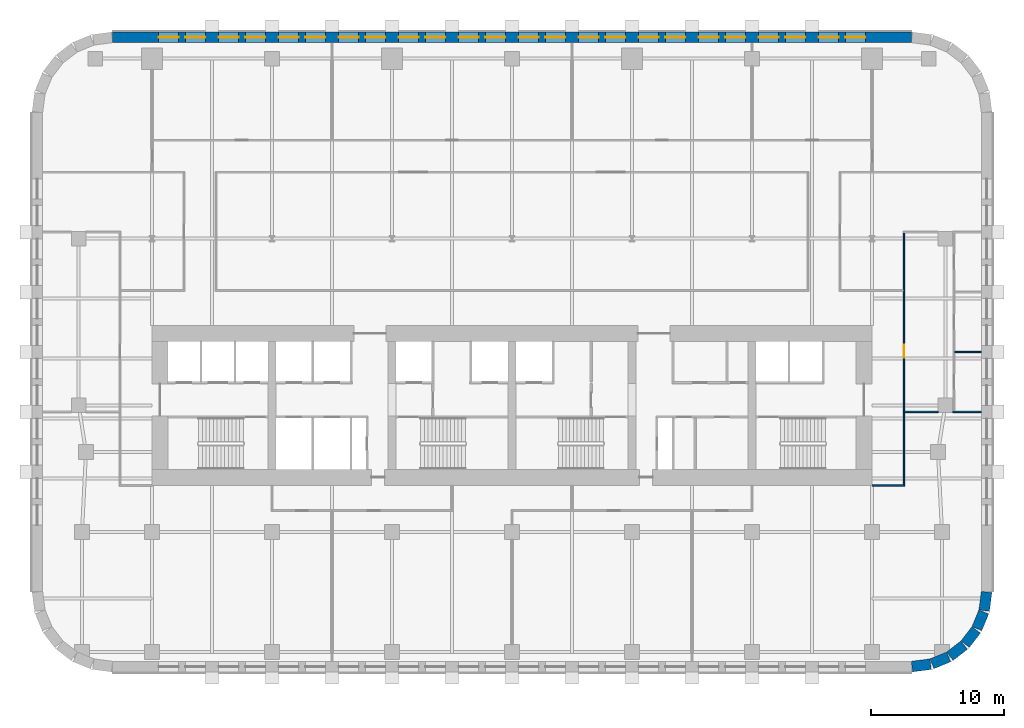
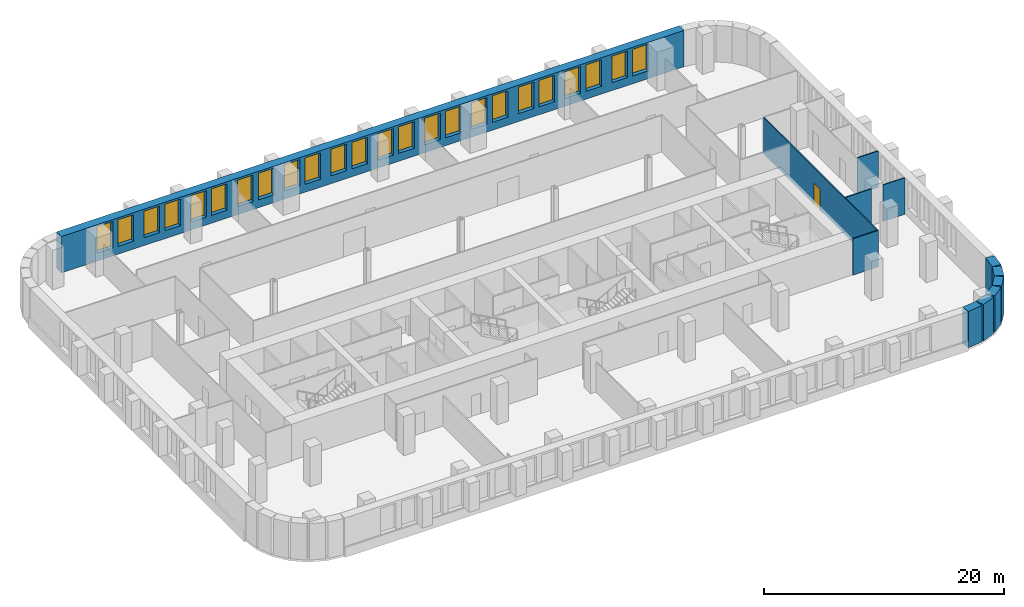
# One storey, part 8 of 12: 24 windows, 12 walls, 1 door, 25 openings.
"""IFC4 building model written with IfcOpenShell, lengths in metres."""

from ifc_helpers import new_model, si_unit, direction, frame, frame_2d, origin, place, context, subcontext, project, spatial, rectangle, extrude, material, layer, layer_set, type_object, element, fill, save


model = new_model("IFC4")

# Units and contexts
model_context = context("Model", 3, precision=1e-05, world=origin(), true_north=direction((0.0, 1.0)))
body_context = subcontext(model_context, "Body", "Model", "MODEL_VIEW")
ifc_project = project(units=[si_unit("LENGTHUNIT", "METRE"), si_unit("AREAUNIT", "SQUARE_METRE"), si_unit("VOLUMEUNIT", "CUBIC_METRE"), si_unit("PLANEANGLEUNIT", "RADIAN"), si_unit("MASSUNIT", "GRAM", prefix="KILO")], contexts=[model_context])

# Site, building, storey
site_placement = place(None, origin())
site = spatial("IfcSite", under=ifc_project, at=site_placement, CompositionType="ELEMENT")
building_placement = place(site_placement, origin())
building = spatial("IfcBuilding", under=site, at=building_placement, Name="Zellij Exchange Tower", CompositionType="ELEMENT")
storey_placement = place(building_placement, frame((0.0, 0.0, 96.5)))
storey = spatial("IfcBuildingStorey", under=building, at=storey_placement, Name="L20", CompositionType="ELEMENT", Elevation=96.5)

# Walls
ifc_material_1 = material(Name="Precast concrete C40/50", Category="concrete")
ifc_layer_1 = layer(ifc_material_1, 0.800048828125)
ifc_layer_set_1 = layer_set([ifc_layer_1], Name="Precast concrete C40/50")
wall_type_1 = type_object("IfcWallType", Name="ENV-EW1 Precast stone-piered wall 800", PredefinedType="SOLIDWALL", material=ifc_layer_set_1)
wall_1_placement = place(storey_placement, frame((29.999755859375, -27.5966796875, 0.0), z_axis=(0.0, 0.0, 1.0), x_axis=(0.99144603414, 0.130517283865, 0.0)))
element("IfcWall", 1, at=wall_1_placement, inside=storey, type_object=wall_type_1, Name="fac.L20.01", PredefinedType="SOLIDWALL", context=body_context, shape_type="SweptSolid", body=[
    extrude(rectangle(XDim=1.408447265625, YDim=0.800048828125, at=frame_2d((0.7041015625, 0.0))), origin(), (0.0, 0.0, 1.0), 3.699951171875),
])
wall_2_placement = place(storey_placement, frame((31.497314453125, -27.3857421875, 0.0), z_axis=(0.0, 0.0, 1.0), x_axis=(0.923847774587, 0.38276009378, 0.0)))
element("IfcWall", 2, at=wall_2_placement, inside=storey, type_object=wall_type_1, Name="fac.L20.02", PredefinedType="SOLIDWALL", context=body_context, shape_type="SweptSolid", body=[
    extrude(rectangle(XDim=1.35546875, YDim=0.800048828125, at=frame_2d((0.677734375, 0.0))), origin(), (0.0, 0.0, 1.0), 3.699951171875),
])
for number, where, z_axis, x_axis, name in (
    (3, (32.840087890625, -26.814697265625, 0.0), (0.0, 0.0, 1.0), (0.793272915452, 0.608866226366, 0.0), "fac.L20.03"),
    (4, (33.9892578125, -25.91552734375, 0.0), (0.0, 0.0, 1.0), (0.608866226366, 0.793272915452, 0.0), "fac.L20.04"),
):
    element("IfcWall", number, at=place(storey_placement, frame(where, z_axis=z_axis, x_axis=x_axis)), inside=storey, type_object=wall_type_1, Name=name, PredefinedType="SOLIDWALL", context=body_context, shape_type="SweptSolid", body=[
        extrude(rectangle(XDim=1.355712890625, YDim=0.800048828125, at=frame_2d((0.677734375, 0.0))), origin(), (0.0, 0.0, 1.0), 3.699951171875),
    ])
wall_3_placement = place(storey_placement, frame((34.866943359375, -24.74951171875, 0.0), z_axis=(0.0, 0.0, 1.0), x_axis=(0.38276009378, 0.923847774587, 0.0)))
element("IfcWall", 5, at=wall_3_placement, inside=storey, type_object=wall_type_1, Name="fac.L20.05", PredefinedType="SOLIDWALL", context=body_context, shape_type="SweptSolid", body=[
    extrude(rectangle(XDim=1.35546875, YDim=0.800048828125, at=frame_2d((0.677734375, 0.0))), origin(), (0.0, 0.0, 1.0), 3.699951171875),
])
wall_4_placement = place(storey_placement, frame((35.412841796875, -23.396240234375, 0.0), z_axis=(0.0, 0.0, 1.0), x_axis=(0.130517283865, 0.99144603414, 0.0)))
element("IfcWall", 6, at=wall_4_placement, inside=storey, type_object=wall_type_1, Name="fac.L20.06", PredefinedType="SOLIDWALL", context=body_context, shape_type="SweptSolid", body=[
    extrude(rectangle(XDim=1.408447265625, YDim=0.800048828125, at=frame_2d((0.7041015625, 0.0))), origin(), (0.0, 0.0, 1.0), 3.699951171875),
])

# Wall, openings, windows
wall_5_placement = place(storey_placement, frame((29.947509765625, 19.60009765625, 0.0), z_axis=(0.0, 0.0, 1.0), x_axis=(-1.0, 0.0, 0.0)))
wall_5 = element("IfcWall", 7, at=wall_5_placement, inside=storey, type_object=wall_type_1, Name="fac.L20.14", PredefinedType="SOLIDWALL", context=body_context, shape_type="SweptSolid", body=[
    extrude(rectangle(XDim=59.89501953125, YDim=0.800048828125, at=frame_2d((29.947509765625, 0.0))), origin(), (0.0, 0.0, 1.0), 3.699951171875),
])
opening_1_placement = place(wall_5_placement, frame((3.447509765625, 0.0, 0.800048828125)))
opening_1 = element("IfcOpeningElement", 8, at=opening_1_placement, cuts=wall_5, Name="Opening FZ1.37", PredefinedType="OPENING", context=body_context, shape_type="SweptSolid", body=[
    extrude(rectangle(XDim=1.5, YDim=2.699951171875, at=frame_2d((0.75, 1.35009765625))), frame((0.0, 0.412109375, 0.0), z_axis=(0.0, -1.0, 0.0), x_axis=(1.0, 0.0, 0.0)), (0.0, 0.0, 1.0), 0.823974609375),
])
opening_2_placement = place(wall_5_placement, frame((5.447509765625, 0.0, 0.800048828125)))
opening_2 = element("IfcOpeningElement", 9, at=opening_2_placement, cuts=wall_5, Name="Opening FZ1.38", PredefinedType="OPENING", context=body_context, shape_type="SweptSolid", body=[
    extrude(rectangle(XDim=1.5, YDim=2.699951171875, at=frame_2d((0.75, 1.35009765625))), frame((0.0, 0.412109375, 0.0), z_axis=(0.0, -1.0, 0.0), x_axis=(1.0, 0.0, 0.0)), (0.0, 0.0, 1.0), 0.823974609375),
])
opening_3_placement = place(wall_5_placement, frame((7.947509765625, 0.0, 0.800048828125)))
opening_3 = element("IfcOpeningElement", 10, at=opening_3_placement, cuts=wall_5, Name="Opening FZ1.39", PredefinedType="OPENING", context=body_context, shape_type="SweptSolid", body=[
    extrude(rectangle(XDim=1.5, YDim=2.699951171875, at=frame_2d((0.75, 1.35009765625))), frame((0.0, 0.412109375, 0.0), z_axis=(0.0, -1.0, 0.0), x_axis=(1.0, 0.0, 0.0)), (0.0, 0.0, 1.0), 0.823974609375),
])
opening_4_placement = place(wall_5_placement, frame((9.947509765625, 0.0, 0.800048828125)))
opening_4 = element("IfcOpeningElement", 11, at=opening_4_placement, cuts=wall_5, Name="Opening FZ1.40", PredefinedType="OPENING", context=body_context, shape_type="SweptSolid", body=[
    extrude(rectangle(XDim=1.5, YDim=2.699951171875, at=frame_2d((0.75, 1.35009765625))), frame((0.0, 0.412109375, 0.0), z_axis=(0.0, -1.0, 0.0), x_axis=(1.0, 0.0, 0.0)), (0.0, 0.0, 1.0), 0.823974609375),
])
opening_5_placement = place(wall_5_placement, frame((12.447509765625, 0.0, 0.800048828125)))
opening_5 = element("IfcOpeningElement", 12, at=opening_5_placement, cuts=wall_5, Name="Opening FZ1.41", PredefinedType="OPENING", context=body_context, shape_type="SweptSolid", body=[
    extrude(rectangle(XDim=1.5, YDim=2.699951171875, at=frame_2d((0.75, 1.35009765625))), frame((0.0, 0.412109375, 0.0), z_axis=(0.0, -1.0, 0.0), x_axis=(1.0, 0.0, 0.0)), (0.0, 0.0, 1.0), 0.823974609375),
])
opening_6_placement = place(wall_5_placement, frame((14.447509765625, 0.0, 0.800048828125)))
opening_6 = element("IfcOpeningElement", 13, at=opening_6_placement, cuts=wall_5, Name="Opening FZ1.42", PredefinedType="OPENING", context=body_context, shape_type="SweptSolid", body=[
    extrude(rectangle(XDim=1.5, YDim=2.699951171875, at=frame_2d((0.75, 1.35009765625))), frame((0.0, 0.412109375, 0.0), z_axis=(0.0, -1.0, 0.0), x_axis=(1.0, 0.0, 0.0)), (0.0, 0.0, 1.0), 0.823974609375),
])
opening_7_placement = place(wall_5_placement, frame((16.947509765625, 0.0, 0.800048828125)))
opening_7 = element("IfcOpeningElement", 14, at=opening_7_placement, cuts=wall_5, Name="Opening FZ1.43", PredefinedType="OPENING", context=body_context, shape_type="SweptSolid", body=[
    extrude(rectangle(XDim=1.5, YDim=2.699951171875, at=frame_2d((0.75, 1.35009765625))), frame((0.0, 0.412109375, 0.0), z_axis=(0.0, -1.0, 0.0), x_axis=(1.0, 0.0, 0.0)), (0.0, 0.0, 1.0), 0.823974609375),
])
opening_8_placement = place(wall_5_placement, frame((18.947509765625, 0.0, 0.800048828125)))
opening_8 = element("IfcOpeningElement", 15, at=opening_8_placement, cuts=wall_5, Name="Opening FZ1.44", PredefinedType="OPENING", context=body_context, shape_type="SweptSolid", body=[
    extrude(rectangle(XDim=1.5, YDim=2.699951171875, at=frame_2d((0.75, 1.35009765625))), frame((0.0, 0.412109375, 0.0), z_axis=(0.0, -1.0, 0.0), x_axis=(1.0, 0.0, 0.0)), (0.0, 0.0, 1.0), 0.823974609375),
])
opening_9_placement = place(wall_5_placement, frame((21.447509765625, 0.0, 0.800048828125)))
opening_9 = element("IfcOpeningElement", 16, at=opening_9_placement, cuts=wall_5, Name="Opening FZ1.45", PredefinedType="OPENING", context=body_context, shape_type="SweptSolid", body=[
    extrude(rectangle(XDim=1.5, YDim=2.699951171875, at=frame_2d((0.75, 1.35009765625))), frame((0.0, 0.412109375, 0.0), z_axis=(0.0, -1.0, 0.0), x_axis=(1.0, 0.0, 0.0)), (0.0, 0.0, 1.0), 0.823974609375),
])
opening_10_placement = place(wall_5_placement, frame((23.447509765625, 0.0, 0.800048828125)))
opening_10 = element("IfcOpeningElement", 17, at=opening_10_placement, cuts=wall_5, Name="Opening FZ1.46", PredefinedType="OPENING", context=body_context, shape_type="SweptSolid", body=[
    extrude(rectangle(XDim=1.5, YDim=2.699951171875, at=frame_2d((0.75, 1.35009765625))), frame((0.0, 0.412109375, 0.0), z_axis=(0.0, -1.0, 0.0), x_axis=(1.0, 0.0, 0.0)), (0.0, 0.0, 1.0), 0.823974609375),
])
opening_11_placement = place(wall_5_placement, frame((25.947509765625, 0.0, 0.800048828125)))
opening_11 = element("IfcOpeningElement", 18, at=opening_11_placement, cuts=wall_5, Name="Opening FZ1.47", PredefinedType="OPENING", context=body_context, shape_type="SweptSolid", body=[
    extrude(rectangle(XDim=1.5, YDim=2.699951171875, at=frame_2d((0.75, 1.35009765625))), frame((0.0, 0.412109375, 0.0), z_axis=(0.0, -1.0, 0.0), x_axis=(1.0, 0.0, 0.0)), (0.0, 0.0, 1.0), 0.823974609375),
])
opening_12_placement = place(wall_5_placement, frame((27.947509765625, 0.0, 0.800048828125)))
opening_12 = element("IfcOpeningElement", 19, at=opening_12_placement, cuts=wall_5, Name="Opening FZ1.48", PredefinedType="OPENING", context=body_context, shape_type="SweptSolid", body=[
    extrude(rectangle(XDim=1.5, YDim=2.699951171875, at=frame_2d((0.75, 1.35009765625))), frame((0.0, 0.412109375, 0.0), z_axis=(0.0, -1.0, 0.0), x_axis=(1.0, 0.0, 0.0)), (0.0, 0.0, 1.0), 0.823974609375),
])
opening_13_placement = place(wall_5_placement, frame((30.447509765625, 0.0, 0.800048828125)))
opening_13 = element("IfcOpeningElement", 20, at=opening_13_placement, cuts=wall_5, Name="Opening FZ1.49", PredefinedType="OPENING", context=body_context, shape_type="SweptSolid", body=[
    extrude(rectangle(XDim=1.5, YDim=2.699951171875, at=frame_2d((0.75, 1.35009765625))), frame((0.0, 0.412109375, 0.0), z_axis=(0.0, -1.0, 0.0), x_axis=(1.0, 0.0, 0.0)), (0.0, 0.0, 1.0), 0.823974609375),
])
opening_14_placement = place(wall_5_placement, frame((32.447509765625, 0.0, 0.800048828125)))
opening_14 = element("IfcOpeningElement", 21, at=opening_14_placement, cuts=wall_5, Name="Opening FZ1.50", PredefinedType="OPENING", context=body_context, shape_type="SweptSolid", body=[
    extrude(rectangle(XDim=1.5, YDim=2.699951171875, at=frame_2d((0.75, 1.35009765625))), frame((0.0, 0.412109375, 0.0), z_axis=(0.0, -1.0, 0.0), x_axis=(1.0, 0.0, 0.0)), (0.0, 0.0, 1.0), 0.823974609375),
])
opening_15_placement = place(wall_5_placement, frame((34.947509765625, 0.0, 0.800048828125)))
opening_15 = element("IfcOpeningElement", 22, at=opening_15_placement, cuts=wall_5, Name="Opening FZ1.51", PredefinedType="OPENING", context=body_context, shape_type="SweptSolid", body=[
    extrude(rectangle(XDim=1.5, YDim=2.699951171875, at=frame_2d((0.75, 1.35009765625))), frame((0.0, 0.412109375, 0.0), z_axis=(0.0, -1.0, 0.0), x_axis=(1.0, 0.0, 0.0)), (0.0, 0.0, 1.0), 0.823974609375),
])
opening_16_placement = place(wall_5_placement, frame((36.947509765625, 0.0, 0.800048828125)))
opening_16 = element("IfcOpeningElement", 23, at=opening_16_placement, cuts=wall_5, Name="Opening FZ1.52", PredefinedType="OPENING", context=body_context, shape_type="SweptSolid", body=[
    extrude(rectangle(XDim=1.5, YDim=2.699951171875, at=frame_2d((0.75, 1.35009765625))), frame((0.0, 0.412109375, 0.0), z_axis=(0.0, -1.0, 0.0), x_axis=(1.0, 0.0, 0.0)), (0.0, 0.0, 1.0), 0.823974609375),
])
opening_17_placement = place(wall_5_placement, frame((39.447509765625, 0.0, 0.800048828125)))
opening_17 = element("IfcOpeningElement", 24, at=opening_17_placement, cuts=wall_5, Name="Opening FZ1.53", PredefinedType="OPENING", context=body_context, shape_type="SweptSolid", body=[
    extrude(rectangle(XDim=1.5, YDim=2.699951171875, at=frame_2d((0.75, 1.35009765625))), frame((0.0, 0.412109375, 0.0), z_axis=(0.0, -1.0, 0.0), x_axis=(1.0, 0.0, 0.0)), (0.0, 0.0, 1.0), 0.823974609375),
])
opening_18_placement = place(wall_5_placement, frame((41.447509765625, 0.0, 0.800048828125)))
opening_18 = element("IfcOpeningElement", 25, at=opening_18_placement, cuts=wall_5, Name="Opening FZ1.54", PredefinedType="OPENING", context=body_context, shape_type="SweptSolid", body=[
    extrude(rectangle(XDim=1.5, YDim=2.699951171875, at=frame_2d((0.75, 1.35009765625))), frame((0.0, 0.412109375, 0.0), z_axis=(0.0, -1.0, 0.0), x_axis=(1.0, 0.0, 0.0)), (0.0, 0.0, 1.0), 0.823974609375),
])
opening_19_placement = place(wall_5_placement, frame((43.947509765625, 0.0, 0.800048828125)))
opening_19 = element("IfcOpeningElement", 26, at=opening_19_placement, cuts=wall_5, Name="Opening FZ1.55", PredefinedType="OPENING", context=body_context, shape_type="SweptSolid", body=[
    extrude(rectangle(XDim=1.5, YDim=2.699951171875, at=frame_2d((0.75, 1.35009765625))), frame((0.0, 0.412109375, 0.0), z_axis=(0.0, -1.0, 0.0), x_axis=(1.0, 0.0, 0.0)), (0.0, 0.0, 1.0), 0.823974609375),
])
opening_20_placement = place(wall_5_placement, frame((45.947509765625, 0.0, 0.800048828125)))
opening_20 = element("IfcOpeningElement", 27, at=opening_20_placement, cuts=wall_5, Name="Opening FZ1.56", PredefinedType="OPENING", context=body_context, shape_type="SweptSolid", body=[
    extrude(rectangle(XDim=1.5, YDim=2.699951171875, at=frame_2d((0.75, 1.35009765625))), frame((0.0, 0.412109375, 0.0), z_axis=(0.0, -1.0, 0.0), x_axis=(1.0, 0.0, 0.0)), (0.0, 0.0, 1.0), 0.823974609375),
])
opening_21_placement = place(wall_5_placement, frame((48.447509765625, 0.0, 0.800048828125)))
opening_21 = element("IfcOpeningElement", 28, at=opening_21_placement, cuts=wall_5, Name="Opening FZ1.57", PredefinedType="OPENING", context=body_context, shape_type="SweptSolid", body=[
    extrude(rectangle(XDim=1.5, YDim=2.699951171875, at=frame_2d((0.75, 1.35009765625))), frame((0.0, 0.412109375, 0.0), z_axis=(0.0, -1.0, 0.0), x_axis=(1.0, 0.0, 0.0)), (0.0, 0.0, 1.0), 0.823974609375),
])
opening_22_placement = place(wall_5_placement, frame((50.447509765625, 0.0, 0.800048828125)))
opening_22 = element("IfcOpeningElement", 29, at=opening_22_placement, cuts=wall_5, Name="Opening FZ1.58", PredefinedType="OPENING", context=body_context, shape_type="SweptSolid", body=[
    extrude(rectangle(XDim=1.5, YDim=2.699951171875, at=frame_2d((0.75, 1.35009765625))), frame((0.0, 0.412109375, 0.0), z_axis=(0.0, -1.0, 0.0), x_axis=(1.0, 0.0, 0.0)), (0.0, 0.0, 1.0), 0.823974609375),
])
opening_23_placement = place(wall_5_placement, frame((52.947509765625, 0.0, 0.800048828125)))
opening_23 = element("IfcOpeningElement", 30, at=opening_23_placement, cuts=wall_5, Name="Opening FZ1.59", PredefinedType="OPENING", context=body_context, shape_type="SweptSolid", body=[
    extrude(rectangle(XDim=1.5, YDim=2.699951171875, at=frame_2d((0.75, 1.35009765625))), frame((0.0, 0.412109375, 0.0), z_axis=(0.0, -1.0, 0.0), x_axis=(1.0, 0.0, 0.0)), (0.0, 0.0, 1.0), 0.823974609375),
])
opening_24_placement = place(wall_5_placement, frame((54.947509765625, 0.0, 0.800048828125)))
opening_24 = element("IfcOpeningElement", 31, at=opening_24_placement, cuts=wall_5, Name="Opening FZ1.60", PredefinedType="OPENING", context=body_context, shape_type="SweptSolid", body=[
    extrude(rectangle(XDim=1.5, YDim=2.699951171875, at=frame_2d((0.75, 1.35009765625))), frame((0.0, 0.412109375, 0.0), z_axis=(0.0, -1.0, 0.0), x_axis=(1.0, 0.0, 0.0)), (0.0, 0.0, 1.0), 0.823974609375),
])
ifc_material_2 = material(Name="Aluminium frame with insulating glass", Category="aluminium")
window_type = type_object("IfcWindowType", Name="ENV-W6 Window 1500x2700", PartitioningType="SINGLE_PANEL", PredefinedType="WINDOW", material=ifc_material_2)
window_1_placement = place(opening_1_placement, origin())
window_1 = element("IfcWindow", 32, at=window_1_placement, inside=storey, type_object=window_type, Name="Window FZ1.37", OverallHeight=2.699951171875, OverallWidth=1.5, PartitioningType="SINGLE_PANEL", PredefinedType="WINDOW", context=body_context, shape_type="SweptSolid", body=[
    extrude(rectangle(XDim=1.5, YDim=2.699951171875, at=frame_2d((0.75, 1.35009765625))), frame((0.0, 0.030029296875, 0.0), z_axis=(0.0, -1.0, 0.0), x_axis=(1.0, 0.0, 0.0)), (0.0, 0.0, 1.0), 0.06005859375),
])
fill(opening_1, window_1)
window_2_placement = place(opening_2_placement, origin())
window_2 = element("IfcWindow", 33, at=window_2_placement, inside=storey, type_object=window_type, Name="Window FZ1.38", OverallHeight=2.699951171875, OverallWidth=1.5, PartitioningType="SINGLE_PANEL", PredefinedType="WINDOW", context=body_context, shape_type="SweptSolid", body=[
    extrude(rectangle(XDim=1.5, YDim=2.699951171875, at=frame_2d((0.75, 1.35009765625))), frame((0.0, 0.030029296875, 0.0), z_axis=(0.0, -1.0, 0.0), x_axis=(1.0, 0.0, 0.0)), (0.0, 0.0, 1.0), 0.06005859375),
])
fill(opening_2, window_2)
window_3_placement = place(opening_3_placement, origin())
window_3 = element("IfcWindow", 34, at=window_3_placement, inside=storey, type_object=window_type, Name="Window FZ1.39", OverallHeight=2.699951171875, OverallWidth=1.5, PartitioningType="SINGLE_PANEL", PredefinedType="WINDOW", context=body_context, shape_type="SweptSolid", body=[
    extrude(rectangle(XDim=1.5, YDim=2.699951171875, at=frame_2d((0.75, 1.35009765625))), frame((0.0, 0.030029296875, 0.0), z_axis=(0.0, -1.0, 0.0), x_axis=(1.0, 0.0, 0.0)), (0.0, 0.0, 1.0), 0.06005859375),
])
fill(opening_3, window_3)
window_4_placement = place(opening_4_placement, origin())
window_4 = element("IfcWindow", 35, at=window_4_placement, inside=storey, type_object=window_type, Name="Window FZ1.40", OverallHeight=2.699951171875, OverallWidth=1.5, PartitioningType="SINGLE_PANEL", PredefinedType="WINDOW", context=body_context, shape_type="SweptSolid", body=[
    extrude(rectangle(XDim=1.5, YDim=2.699951171875, at=frame_2d((0.75, 1.35009765625))), frame((0.0, 0.030029296875, 0.0), z_axis=(0.0, -1.0, 0.0), x_axis=(1.0, 0.0, 0.0)), (0.0, 0.0, 1.0), 0.06005859375),
])
fill(opening_4, window_4)
window_5_placement = place(opening_5_placement, origin())
window_5 = element("IfcWindow", 36, at=window_5_placement, inside=storey, type_object=window_type, Name="Window FZ1.41", OverallHeight=2.699951171875, OverallWidth=1.5, PartitioningType="SINGLE_PANEL", PredefinedType="WINDOW", context=body_context, shape_type="SweptSolid", body=[
    extrude(rectangle(XDim=1.5, YDim=2.699951171875, at=frame_2d((0.75, 1.35009765625))), frame((0.0, 0.030029296875, 0.0), z_axis=(0.0, -1.0, 0.0), x_axis=(1.0, 0.0, 0.0)), (0.0, 0.0, 1.0), 0.06005859375),
])
fill(opening_5, window_5)
window_6_placement = place(opening_6_placement, origin())
window_6 = element("IfcWindow", 37, at=window_6_placement, inside=storey, type_object=window_type, Name="Window FZ1.42", OverallHeight=2.699951171875, OverallWidth=1.5, PartitioningType="SINGLE_PANEL", PredefinedType="WINDOW", context=body_context, shape_type="SweptSolid", body=[
    extrude(rectangle(XDim=1.5, YDim=2.699951171875, at=frame_2d((0.75, 1.35009765625))), frame((0.0, 0.030029296875, 0.0), z_axis=(0.0, -1.0, 0.0), x_axis=(1.0, 0.0, 0.0)), (0.0, 0.0, 1.0), 0.06005859375),
])
fill(opening_6, window_6)
window_7_placement = place(opening_7_placement, origin())
window_7 = element("IfcWindow", 38, at=window_7_placement, inside=storey, type_object=window_type, Name="Window FZ1.43", OverallHeight=2.699951171875, OverallWidth=1.5, PartitioningType="SINGLE_PANEL", PredefinedType="WINDOW", context=body_context, shape_type="SweptSolid", body=[
    extrude(rectangle(XDim=1.5, YDim=2.699951171875, at=frame_2d((0.75, 1.35009765625))), frame((0.0, 0.030029296875, 0.0), z_axis=(0.0, -1.0, 0.0), x_axis=(1.0, 0.0, 0.0)), (0.0, 0.0, 1.0), 0.06005859375),
])
fill(opening_7, window_7)
window_8_placement = place(opening_8_placement, origin())
window_8 = element("IfcWindow", 39, at=window_8_placement, inside=storey, type_object=window_type, Name="Window FZ1.44", OverallHeight=2.699951171875, OverallWidth=1.5, PartitioningType="SINGLE_PANEL", PredefinedType="WINDOW", context=body_context, shape_type="SweptSolid", body=[
    extrude(rectangle(XDim=1.5, YDim=2.699951171875, at=frame_2d((0.75, 1.35009765625))), frame((0.0, 0.030029296875, 0.0), z_axis=(0.0, -1.0, 0.0), x_axis=(1.0, 0.0, 0.0)), (0.0, 0.0, 1.0), 0.06005859375),
])
fill(opening_8, window_8)
window_9_placement = place(opening_9_placement, origin())
window_9 = element("IfcWindow", 40, at=window_9_placement, inside=storey, type_object=window_type, Name="Window FZ1.45", OverallHeight=2.699951171875, OverallWidth=1.5, PartitioningType="SINGLE_PANEL", PredefinedType="WINDOW", context=body_context, shape_type="SweptSolid", body=[
    extrude(rectangle(XDim=1.5, YDim=2.699951171875, at=frame_2d((0.75, 1.35009765625))), frame((0.0, 0.030029296875, 0.0), z_axis=(0.0, -1.0, 0.0), x_axis=(1.0, 0.0, 0.0)), (0.0, 0.0, 1.0), 0.06005859375),
])
fill(opening_9, window_9)
window_10_placement = place(opening_10_placement, origin())
window_10 = element("IfcWindow", 41, at=window_10_placement, inside=storey, type_object=window_type, Name="Window FZ1.46", OverallHeight=2.699951171875, OverallWidth=1.5, PartitioningType="SINGLE_PANEL", PredefinedType="WINDOW", context=body_context, shape_type="SweptSolid", body=[
    extrude(rectangle(XDim=1.5, YDim=2.699951171875, at=frame_2d((0.75, 1.35009765625))), frame((0.0, 0.030029296875, 0.0), z_axis=(0.0, -1.0, 0.0), x_axis=(1.0, 0.0, 0.0)), (0.0, 0.0, 1.0), 0.06005859375),
])
fill(opening_10, window_10)
window_11_placement = place(opening_11_placement, origin())
window_11 = element("IfcWindow", 42, at=window_11_placement, inside=storey, type_object=window_type, Name="Window FZ1.47", OverallHeight=2.699951171875, OverallWidth=1.5, PartitioningType="SINGLE_PANEL", PredefinedType="WINDOW", context=body_context, shape_type="SweptSolid", body=[
    extrude(rectangle(XDim=1.5, YDim=2.699951171875, at=frame_2d((0.75, 1.35009765625))), frame((0.0, 0.030029296875, 0.0), z_axis=(0.0, -1.0, 0.0), x_axis=(1.0, 0.0, 0.0)), (0.0, 0.0, 1.0), 0.06005859375),
])
fill(opening_11, window_11)
window_12_placement = place(opening_12_placement, origin())
window_12 = element("IfcWindow", 43, at=window_12_placement, inside=storey, type_object=window_type, Name="Window FZ1.48", OverallHeight=2.699951171875, OverallWidth=1.5, PartitioningType="SINGLE_PANEL", PredefinedType="WINDOW", context=body_context, shape_type="SweptSolid", body=[
    extrude(rectangle(XDim=1.5, YDim=2.699951171875, at=frame_2d((0.75, 1.35009765625))), frame((0.0, 0.030029296875, 0.0), z_axis=(0.0, -1.0, 0.0), x_axis=(1.0, 0.0, 0.0)), (0.0, 0.0, 1.0), 0.06005859375),
])
fill(opening_12, window_12)
window_13_placement = place(opening_13_placement, origin())
window_13 = element("IfcWindow", 44, at=window_13_placement, inside=storey, type_object=window_type, Name="Window FZ1.49", OverallHeight=2.699951171875, OverallWidth=1.5, PartitioningType="SINGLE_PANEL", PredefinedType="WINDOW", context=body_context, shape_type="SweptSolid", body=[
    extrude(rectangle(XDim=1.5, YDim=2.699951171875, at=frame_2d((0.75, 1.35009765625))), frame((0.0, 0.030029296875, 0.0), z_axis=(0.0, -1.0, 0.0), x_axis=(1.0, 0.0, 0.0)), (0.0, 0.0, 1.0), 0.06005859375),
])
fill(opening_13, window_13)
window_14_placement = place(opening_14_placement, origin())
window_14 = element("IfcWindow", 45, at=window_14_placement, inside=storey, type_object=window_type, Name="Window FZ1.50", OverallHeight=2.699951171875, OverallWidth=1.5, PartitioningType="SINGLE_PANEL", PredefinedType="WINDOW", context=body_context, shape_type="SweptSolid", body=[
    extrude(rectangle(XDim=1.5, YDim=2.699951171875, at=frame_2d((0.75, 1.35009765625))), frame((0.0, 0.030029296875, 0.0), z_axis=(0.0, -1.0, 0.0), x_axis=(1.0, 0.0, 0.0)), (0.0, 0.0, 1.0), 0.06005859375),
])
fill(opening_14, window_14)
window_15_placement = place(opening_15_placement, origin())
window_15 = element("IfcWindow", 46, at=window_15_placement, inside=storey, type_object=window_type, Name="Window FZ1.51", OverallHeight=2.699951171875, OverallWidth=1.5, PartitioningType="SINGLE_PANEL", PredefinedType="WINDOW", context=body_context, shape_type="SweptSolid", body=[
    extrude(rectangle(XDim=1.5, YDim=2.699951171875, at=frame_2d((0.75, 1.35009765625))), frame((0.0, 0.030029296875, 0.0), z_axis=(0.0, -1.0, 0.0), x_axis=(1.0, 0.0, 0.0)), (0.0, 0.0, 1.0), 0.06005859375),
])
fill(opening_15, window_15)
window_16_placement = place(opening_16_placement, origin())
window_16 = element("IfcWindow", 47, at=window_16_placement, inside=storey, type_object=window_type, Name="Window FZ1.52", OverallHeight=2.699951171875, OverallWidth=1.5, PartitioningType="SINGLE_PANEL", PredefinedType="WINDOW", context=body_context, shape_type="SweptSolid", body=[
    extrude(rectangle(XDim=1.5, YDim=2.699951171875, at=frame_2d((0.75, 1.35009765625))), frame((0.0, 0.030029296875, 0.0), z_axis=(0.0, -1.0, 0.0), x_axis=(1.0, 0.0, 0.0)), (0.0, 0.0, 1.0), 0.06005859375),
])
fill(opening_16, window_16)
window_17_placement = place(opening_17_placement, origin())
window_17 = element("IfcWindow", 48, at=window_17_placement, inside=storey, type_object=window_type, Name="Window FZ1.53", OverallHeight=2.699951171875, OverallWidth=1.5, PartitioningType="SINGLE_PANEL", PredefinedType="WINDOW", context=body_context, shape_type="SweptSolid", body=[
    extrude(rectangle(XDim=1.5, YDim=2.699951171875, at=frame_2d((0.75, 1.35009765625))), frame((0.0, 0.030029296875, 0.0), z_axis=(0.0, -1.0, 0.0), x_axis=(1.0, 0.0, 0.0)), (0.0, 0.0, 1.0), 0.06005859375),
])
fill(opening_17, window_17)
window_18_placement = place(opening_18_placement, origin())
window_18 = element("IfcWindow", 49, at=window_18_placement, inside=storey, type_object=window_type, Name="Window FZ1.54", OverallHeight=2.699951171875, OverallWidth=1.5, PartitioningType="SINGLE_PANEL", PredefinedType="WINDOW", context=body_context, shape_type="SweptSolid", body=[
    extrude(rectangle(XDim=1.5, YDim=2.699951171875, at=frame_2d((0.75, 1.35009765625))), frame((0.0, 0.030029296875, 0.0), z_axis=(0.0, -1.0, 0.0), x_axis=(1.0, 0.0, 0.0)), (0.0, 0.0, 1.0), 0.06005859375),
])
fill(opening_18, window_18)
window_19_placement = place(opening_19_placement, origin())
window_19 = element("IfcWindow", 50, at=window_19_placement, inside=storey, type_object=window_type, Name="Window FZ1.55", OverallHeight=2.699951171875, OverallWidth=1.5, PartitioningType="SINGLE_PANEL", PredefinedType="WINDOW", context=body_context, shape_type="SweptSolid", body=[
    extrude(rectangle(XDim=1.5, YDim=2.699951171875, at=frame_2d((0.75, 1.35009765625))), frame((0.0, 0.030029296875, 0.0), z_axis=(0.0, -1.0, 0.0), x_axis=(1.0, 0.0, 0.0)), (0.0, 0.0, 1.0), 0.06005859375),
])
fill(opening_19, window_19)
window_20_placement = place(opening_20_placement, origin())
window_20 = element("IfcWindow", 51, at=window_20_placement, inside=storey, type_object=window_type, Name="Window FZ1.56", OverallHeight=2.699951171875, OverallWidth=1.5, PartitioningType="SINGLE_PANEL", PredefinedType="WINDOW", context=body_context, shape_type="SweptSolid", body=[
    extrude(rectangle(XDim=1.5, YDim=2.699951171875, at=frame_2d((0.75, 1.35009765625))), frame((0.0, 0.030029296875, 0.0), z_axis=(0.0, -1.0, 0.0), x_axis=(1.0, 0.0, 0.0)), (0.0, 0.0, 1.0), 0.06005859375),
])
fill(opening_20, window_20)
window_21_placement = place(opening_21_placement, origin())
window_21 = element("IfcWindow", 52, at=window_21_placement, inside=storey, type_object=window_type, Name="Window FZ1.57", OverallHeight=2.699951171875, OverallWidth=1.5, PartitioningType="SINGLE_PANEL", PredefinedType="WINDOW", context=body_context, shape_type="SweptSolid", body=[
    extrude(rectangle(XDim=1.5, YDim=2.699951171875, at=frame_2d((0.75, 1.35009765625))), frame((0.0, 0.030029296875, 0.0), z_axis=(0.0, -1.0, 0.0), x_axis=(1.0, 0.0, 0.0)), (0.0, 0.0, 1.0), 0.06005859375),
])
fill(opening_21, window_21)
window_22_placement = place(opening_22_placement, origin())
window_22 = element("IfcWindow", 53, at=window_22_placement, inside=storey, type_object=window_type, Name="Window FZ1.58", OverallHeight=2.699951171875, OverallWidth=1.5, PartitioningType="SINGLE_PANEL", PredefinedType="WINDOW", context=body_context, shape_type="SweptSolid", body=[
    extrude(rectangle(XDim=1.5, YDim=2.699951171875, at=frame_2d((0.75, 1.35009765625))), frame((0.0, 0.030029296875, 0.0), z_axis=(0.0, -1.0, 0.0), x_axis=(1.0, 0.0, 0.0)), (0.0, 0.0, 1.0), 0.06005859375),
])
fill(opening_22, window_22)
window_23_placement = place(opening_23_placement, origin())
window_23 = element("IfcWindow", 54, at=window_23_placement, inside=storey, type_object=window_type, Name="Window FZ1.59", OverallHeight=2.699951171875, OverallWidth=1.5, PartitioningType="SINGLE_PANEL", PredefinedType="WINDOW", context=body_context, shape_type="SweptSolid", body=[
    extrude(rectangle(XDim=1.5, YDim=2.699951171875, at=frame_2d((0.75, 1.35009765625))), frame((0.0, 0.030029296875, 0.0), z_axis=(0.0, -1.0, 0.0), x_axis=(1.0, 0.0, 0.0)), (0.0, 0.0, 1.0), 0.06005859375),
])
fill(opening_23, window_23)
window_24_placement = place(opening_24_placement, origin())
window_24 = element("IfcWindow", 55, at=window_24_placement, inside=storey, type_object=window_type, Name="Window FZ1.60", OverallHeight=2.699951171875, OverallWidth=1.5, PartitioningType="SINGLE_PANEL", PredefinedType="WINDOW", context=body_context, shape_type="SweptSolid", body=[
    extrude(rectangle(XDim=1.5, YDim=2.699951171875, at=frame_2d((0.75, 1.35009765625))), frame((0.0, 0.030029296875, 0.0), z_axis=(0.0, -1.0, 0.0), x_axis=(1.0, 0.0, 0.0)), (0.0, 0.0, 1.0), 0.06005859375),
])
fill(opening_24, window_24)

# Wall
ifc_material_3 = material(Name="Gypsum board partition on steel studs", Category="steel")
ifc_layer_2 = layer(ifc_material_3, 0.10009765625)
ifc_layer_set_2 = layer_set([ifc_layer_2], Name="Gypsum board partition on steel studs")
wall_type_2 = type_object("IfcWallType", Name="FIT-PARTITION-100", PredefinedType="PARTITIONING", material=ifc_layer_set_2)
wall_6_placement = place(storey_placement, frame((27.0, -14.0, 0.0), z_axis=(0.0, 0.0, 1.0), x_axis=(1.0, 0.0, 0.0)))
element("IfcWall", 56, at=wall_6_placement, inside=storey, type_object=wall_type_2, Name="FIT-PARTITION-100 015", PredefinedType="PARTITIONING", context=body_context, shape_type="SweptSolid", body=[
    extrude(rectangle(XDim=2.449951171875, YDim=0.10009765625, at=frame_2d((1.22509765625, 0.0))), origin(), (0.0, 0.0, 1.0), 3.699951171875),
])

# Wall, opening, door
wall_7_placement = place(storey_placement, frame((29.39990234375, -13.949951171875, 0.0), z_axis=(0.0, 0.0, 1.0), x_axis=(0.0, 1.0, 0.0)))
wall_7 = element("IfcWall", 57, at=wall_7_placement, inside=storey, type_object=wall_type_2, Name="FIT-PARTITION-100 016", PredefinedType="PARTITIONING", context=body_context, shape_type="SweptSolid", body=[
    extrude(rectangle(XDim=18.889892578125, YDim=0.10009765625, at=frame_2d((9.44482421875, 0.0))), origin(), (0.0, 0.0, 1.0), 3.699951171875),
])
opening_25_placement = place(wall_7_placement, frame((9.510009765625, 0.0, 0.0)))
opening_25 = element("IfcOpeningElement", 58, at=opening_25_placement, cuts=wall_7, Name="Opening TD.07", PredefinedType="OPENING", context=body_context, shape_type="SweptSolid", body=[
    extrude(rectangle(XDim=1.0, YDim=2.10009765625, at=frame_2d((0.5, 1.050048828125))), frame((0.0, 0.06201171875, 0.0), z_axis=(0.0, -1.0, 0.0), x_axis=(1.0, 0.0, 0.0)), (0.0, 0.0, 1.0), 0.1240234375),
])
ifc_material_4 = material(Name="Timber door set", Category="wood")
door_type = type_object("IfcDoorType", Name="FIT-D2-WIDE-1000X2100", OperationType="SINGLE_SWING_LEFT", PredefinedType="DOOR", material=ifc_material_4)
door_placement = place(opening_25_placement, origin())
door = element("IfcDoor", 59, at=door_placement, inside=storey, type_object=door_type, Name="Door TD.07", OperationType="SINGLE_SWING_LEFT", OverallHeight=2.10009765625, OverallWidth=1.0, PredefinedType="DOOR", context=body_context, shape_type="SweptSolid", body=[
    extrude(rectangle(XDim=1.0, YDim=2.10009765625, at=frame_2d((0.5, 1.050048828125))), frame((0.0, 0.02490234375, 0.0), z_axis=(0.0, -1.0, 0.0), x_axis=(1.0, 0.0, 0.0)), (0.0, 0.0, 1.0), 0.050048828125),
])
fill(opening_25, door)

# Walls
wall_8_placement = place(storey_placement, frame((29.449951171875, -8.489990234375, 0.0), z_axis=(0.0, 0.0, 1.0), x_axis=(1.0, 0.0, 0.0)))
element("IfcWall", 60, at=wall_8_placement, inside=storey, type_object=wall_type_2, Name="FIT-PARTITION-100 019", PredefinedType="PARTITIONING", context=body_context, shape_type="SweptSolid", body=[
    extrude(rectangle(XDim=2.5, YDim=0.10009765625, at=frame_2d((1.25, 0.0))), origin(), (0.0, 0.0, 1.0), 3.699951171875),
])
wall_9_placement = place(storey_placement, frame((33.050048828125, -8.489990234375, 0.0), z_axis=(0.0, 0.0, 1.0), x_axis=(1.0, 0.0, 0.0)))
element("IfcWall", 61, at=wall_9_placement, inside=storey, type_object=wall_type_2, Name="FIT-PARTITION-100 020", PredefinedType="PARTITIONING", context=body_context, shape_type="SweptSolid", body=[
    extrude(rectangle(XDim=2.14990234375, YDim=0.10009765625, at=frame_2d((1.074951171875, 0.0))), origin(), (0.0, 0.0, 1.0), 3.699951171875),
])
wall_10_placement = place(storey_placement, frame((33.199951171875, -4.0, 0.0), z_axis=(0.0, 0.0, 1.0), x_axis=(1.0, 0.0, 0.0)))
element("IfcWall", 62, at=wall_10_placement, inside=storey, type_object=wall_type_2, Name="FIT-PARTITION-100 022", PredefinedType="PARTITIONING", context=body_context, shape_type="SweptSolid", body=[
    extrude(rectangle(XDim=2.0, YDim=0.10009765625, at=frame_2d((1.0, 0.0))), origin(), (0.0, 0.0, 1.0), 3.699951171875),
])

save(model, "model.ifc")
